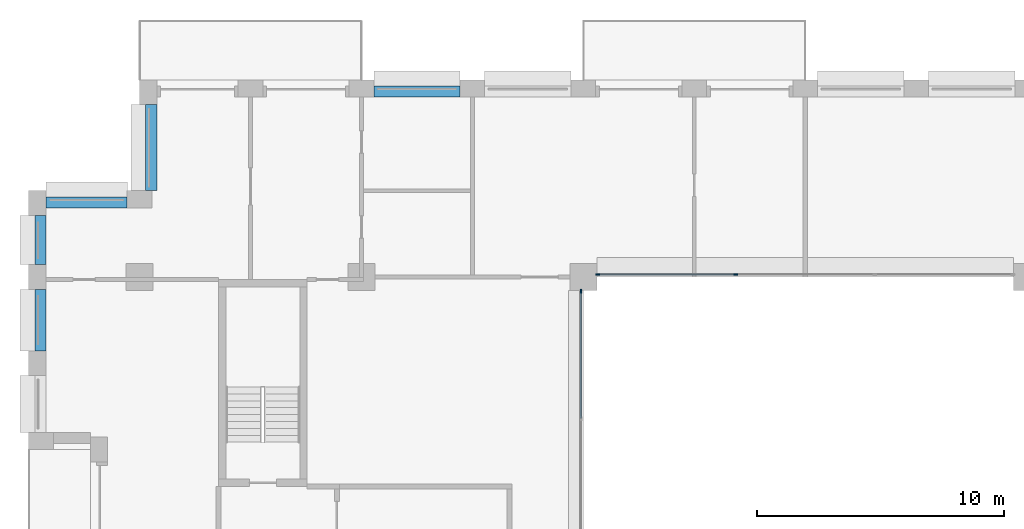
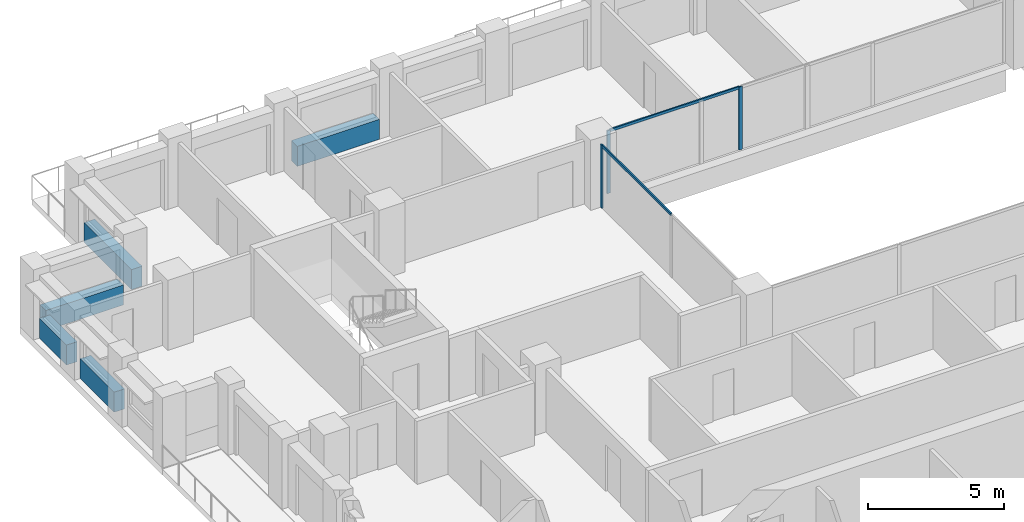
# One storey, part 5 of 15: 5 beams, 5 members, 2 elements without a shape of their own.
"""IFC4 building model written with IfcOpenShell, lengths in metres."""

from ifc_helpers import new_model, si_unit, direction, frame, origin, origin_2d, place, context, subcontext, project, spatial, rectangle, extrude, material, layer, layer_set, material_profile, profile_set, type_object, element, aggregate, save


model = new_model("IFC4")

# Units and contexts
model_context = context("Model", 3, precision=1e-05, world=origin(), true_north=direction((0.0, 1.0)))
body_context = subcontext(model_context, "Body", "Model", "MODEL_VIEW")
ifc_project = project(units=[si_unit("LENGTHUNIT", "METRE"), si_unit("AREAUNIT", "SQUARE_METRE"), si_unit("VOLUMEUNIT", "CUBIC_METRE"), si_unit("PLANEANGLEUNIT", "RADIAN"), si_unit("MASSUNIT", "GRAM", prefix="KILO")], contexts=[model_context])

# Site, building, storey
site_placement = place(None, origin())
site = spatial("IfcSite", under=ifc_project, at=site_placement, CompositionType="ELEMENT")
building_placement = place(site_placement, origin())
building = spatial("IfcBuilding", under=site, at=building_placement, Name="Brigalow Station Residences", CompositionType="ELEMENT")
storey_placement = place(building_placement, frame((0.0, 0.0, 147.60009765625)))
storey = spatial("IfcBuildingStorey", under=building, at=storey_placement, Name="L42", CompositionType="ELEMENT", Elevation=147.60009765625)

# Curtain wall, members
ifc_material_1 = material(Name="Aluminium", Category="aluminium")
ifc_layer = layer(ifc_material_1, 0.14990234375)
ifc_layer_set = layer_set([ifc_layer], Name="ATRIUM FIRE-RATED GLAZING CURTAIN WALL")
curtain_wall_type = type_object("IfcCurtainWallType", Name="ATRIUM FIRE-RATED GLAZING CURTAIN WALL", PredefinedType="NOTDEFINED", material=ifc_layer_set)
curtain_wall_1_placement = place(storey_placement, origin())
curtain_wall_1 = element("IfcCurtainWall", 1, at=curtain_wall_1_placement, inside=storey, type_object=curtain_wall_type, Name="L42/cw/atrium-N", PredefinedType="NOTDEFINED")
ifc_material_2 = material(Name="Aluminium", Category="aluminium")
ifc_material_profile_1 = material_profile(ifc_material_2, rectangle(XDim=0.06005859375, YDim=0.14990234375, at=origin_2d()), Name="ATRIUM FIRE-RATED GLAZING MULLION 60x150")
ifc_profile_set_1 = profile_set([ifc_material_profile_1], Name="Aluminium")
member_type_1 = type_object("IfcMemberType", Name="ATRIUM FIRE-RATED GLAZING MULLION 60x150", PredefinedType="MULLION", material=ifc_profile_set_1)
member_1_placement = place(storey_placement, frame((33.183349609375, 35.60009765625, 0.0), z_axis=(0.0, 0.0, 1.0), x_axis=(0.0, -1.0, 0.0)))
member_1 = element("IfcMember", 2, at=member_1_placement, type_object=member_type_1, Name="L42/cw/atrium-N/M02", PredefinedType="MULLION", context=body_context, shape_type="SweptSolid", body=[
    extrude(rectangle(XDim=0.06005859375, YDim=0.14990234375, at=origin_2d()), origin(), (0.0, 0.0, 1.0), 2.829833984375),
])
member_2_placement = place(storey_placement, frame((27.580078125, 35.60009765625, 0.0), z_axis=(0.0, 0.0, 1.0), x_axis=(0.0, -1.0, 0.0)))
member_2 = element("IfcMember", 3, at=member_2_placement, type_object=member_type_1, Name="L42/cw/atrium-N/M03", PredefinedType="MULLION", context=body_context, shape_type="SweptSolid", body=[
    extrude(rectangle(XDim=0.06005859375, YDim=0.14990234375, at=origin_2d()), origin(), (0.0, 0.0, 1.0), 2.829833984375),
])

# Curtain wall, member
curtain_wall_2_placement = place(storey_placement, origin())
curtain_wall_2 = element("IfcCurtainWall", 4, at=curtain_wall_2_placement, inside=storey, type_object=curtain_wall_type, Name="L42/cw/atrium-W", PredefinedType="NOTDEFINED")
member_3_placement = place(storey_placement, frame((26.89990234375, 34.919921875, 0.0), z_axis=(0.0, 0.0, 1.0), x_axis=(1.0, 0.0, 0.0)))
member_3 = element("IfcMember", 5, at=member_3_placement, type_object=member_type_1, Name="L42/cw/atrium-W/M00", PredefinedType="MULLION", context=body_context, shape_type="SweptSolid", body=[
    extrude(rectangle(XDim=0.06005859375, YDim=0.14990234375, at=origin_2d()), origin(), (0.0, 0.0, 1.0), 2.829833984375),
])

# Member
ifc_material_3 = material(Name="Aluminium", Category="aluminium")
ifc_material_profile_2 = material_profile(ifc_material_3, rectangle(XDim=0.06005859375, YDim=0.1201171875, at=origin_2d()), Name="ATRIUM FIRE-RATED GLAZING TRANSOM 60x120")
ifc_profile_set_2 = profile_set([ifc_material_profile_2], Name="Aluminium")
member_type_2 = type_object("IfcMemberType", Name="ATRIUM FIRE-RATED GLAZING TRANSOM 60x120", PredefinedType="USERDEFINED", material=ifc_profile_set_2)
member_4_placement = place(storey_placement, frame((33.1533203125, 35.60009765625, 2.7998046875), z_axis=(-1.0, 0.0, 0.0), x_axis=(0.0, -1.0, 0.0)))
member_4 = element("IfcMember", 6, at=member_4_placement, type_object=member_type_2, Name="L42/cw/atrium-N/T02-00", ObjectType="TRANSOM", PredefinedType="USERDEFINED", context=body_context, shape_type="SweptSolid", body=[
    extrude(rectangle(XDim=0.06005859375, YDim=0.1201171875, at=origin_2d()), origin(), (0.0, 0.0, 1.0), 5.543212890625),
])

aggregate(curtain_wall_1, [member_1, member_2, member_4])

member_5_placement = place(storey_placement, frame((26.89990234375, 34.889892578125, 2.7998046875), z_axis=(0.0, -1.0, 0.0), x_axis=(1.0, 0.0, 0.0)))
member_5 = element("IfcMember", 7, at=member_5_placement, type_object=member_type_2, Name="L42/cw/atrium-W/T00-00", ObjectType="TRANSOM", PredefinedType="USERDEFINED", context=body_context, shape_type="SweptSolid", body=[
    extrude(rectangle(XDim=0.06005859375, YDim=0.1201171875, at=origin_2d()), origin(), (0.0, 0.0, 1.0), 5.10986328125),
])

aggregate(curtain_wall_2, [member_3, member_5])

# Beams
ifc_material_4 = material(Name="Concrete C50", Category="concrete")
ifc_material_profile_3 = material_profile(ifc_material_4, rectangle(XDim=0.449951171875, YDim=0.89990234375, at=origin_2d()), Name="RC450x900")
ifc_profile_set_3 = profile_set([ifc_material_profile_3], Name="Concrete C50")
beam_type = type_object("IfcBeamType", Name="SPANDREL BEAM 450x900 C50", PredefinedType="SPANDREL", material=ifc_profile_set_3)
for number, where, z_axis, x_axis, name in (
    (8, (22.0, 43.02490234375, 0.449951171875), (-1.0, 0.0, 0.0), (0.0, -1.0, 0.0), "L42/spandrel/W-L42-32"),
    (9, (9.47509765625, 42.5, 0.449951171875), (0.0, -1.0, 0.0), (1.0, 0.0, 0.0), "L42/spandrel/W-L42-35"),
):
    element("IfcBeam", number, at=place(storey_placement, frame(where, z_axis=z_axis, x_axis=x_axis)), inside=storey, type_object=beam_type, Name=name, PredefinedType="SPANDREL", context=body_context, shape_type="SweptSolid", body=[
        extrude(rectangle(XDim=0.449951171875, YDim=0.89990234375, at=origin_2d()), origin(), (0.0, 0.0, 1.0), 3.5),
    ])
beam_1_placement = place(storey_placement, frame((8.5, 38.52490234375, 0.449951171875), z_axis=(-1.0, 0.0, 0.0), x_axis=(0.0, -1.0, 0.0)))
element("IfcBeam", 10, at=beam_1_placement, inside=storey, type_object=beam_type, Name="L42/spandrel/W-L42-36", PredefinedType="SPANDREL", context=body_context, shape_type="SweptSolid", body=[
    extrude(rectangle(XDim=0.449951171875, YDim=0.89990234375, at=origin_2d()), origin(), (0.0, 0.0, 1.0), 3.300048828125),
])
beam_2_placement = place(storey_placement, frame((4.97509765625, 38.0, 0.449951171875), z_axis=(0.0, -1.0, 0.0), x_axis=(1.0, 0.0, 0.0)))
element("IfcBeam", 11, at=beam_2_placement, inside=storey, type_object=beam_type, Name="L42/spandrel/W-L42-37", PredefinedType="SPANDREL", context=body_context, shape_type="SweptSolid", body=[
    extrude(rectangle(XDim=0.449951171875, YDim=0.89990234375, at=origin_2d()), origin(), (0.0, 0.0, 1.0), 2.0),
])
beam_3_placement = place(storey_placement, frame((4.97509765625, 35.0, 0.449951171875), z_axis=(0.0, -1.0, 0.0), x_axis=(1.0, 0.0, 0.0)))
element("IfcBeam", 12, at=beam_3_placement, inside=storey, type_object=beam_type, Name="L42/spandrel/W-L42-38", PredefinedType="SPANDREL", context=body_context, shape_type="SweptSolid", body=[
    extrude(rectangle(XDim=0.449951171875, YDim=0.89990234375, at=origin_2d()), origin(), (0.0, 0.0, 1.0), 2.5),
])

save(model, "model.ifc")
